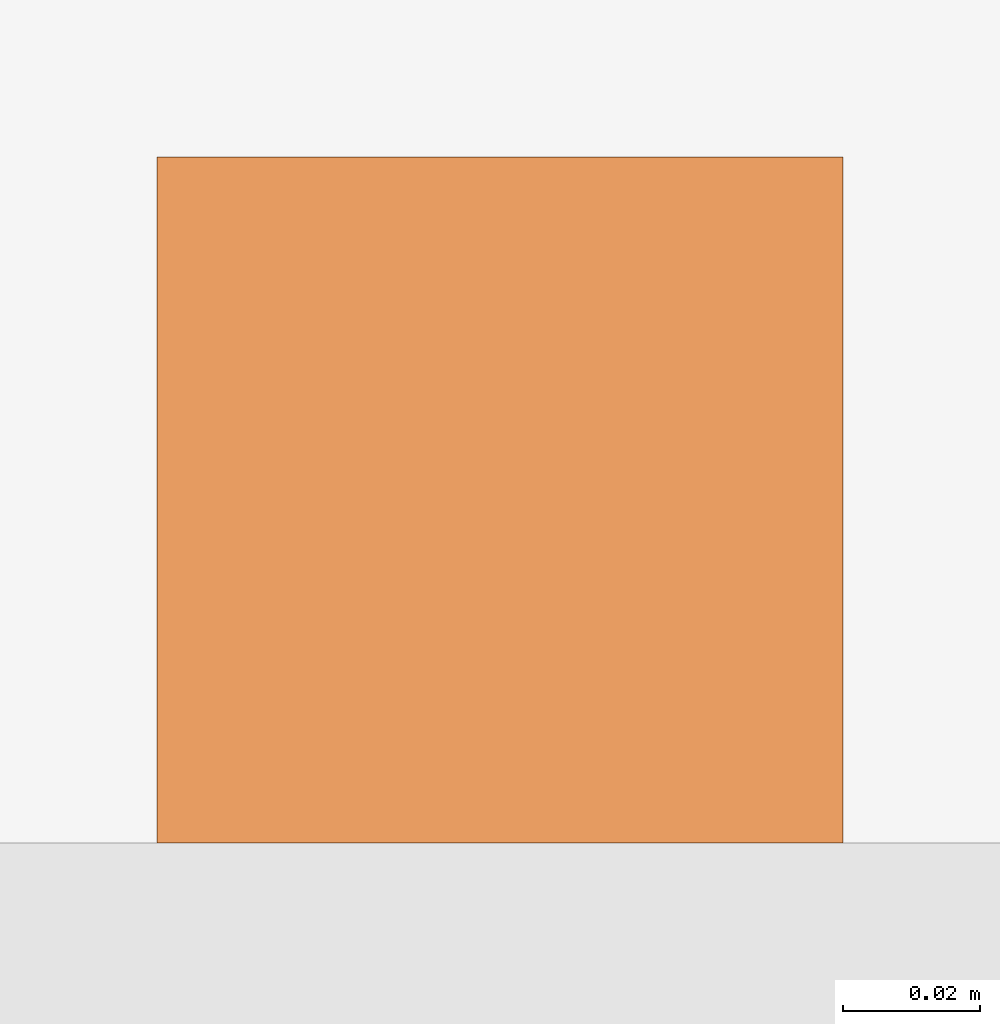
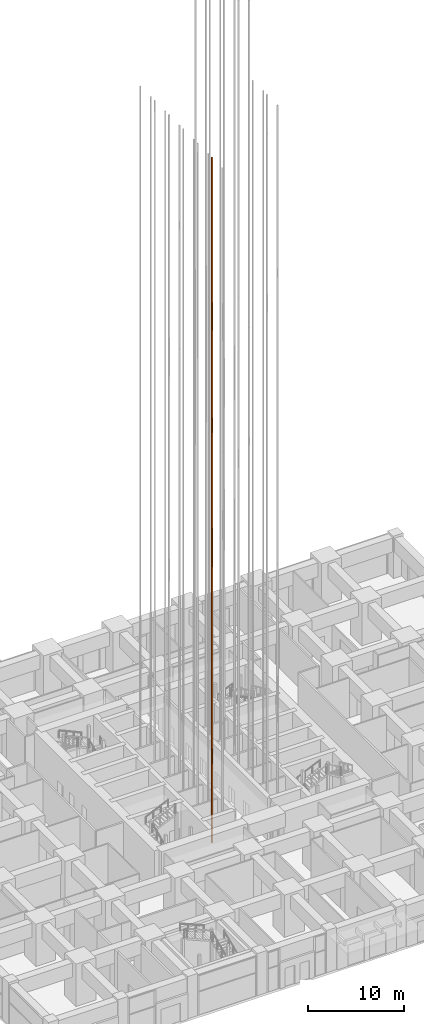
# One storey, part 59 of 81: 1 proxy.
"""IFC4 building model written with IfcOpenShell, lengths in metres."""

from ifc_helpers import new_model, si_unit, direction, frame, origin, origin_2d, place, context, subcontext, project, spatial, rectangle, extrude, material, type_object, element, save


model = new_model("IFC4")

# Units and contexts
model_context = context("Model", 3, precision=1e-05, world=origin(), true_north=direction((0.0, 1.0)))
body_context = subcontext(model_context, "Body", "Model", "MODEL_VIEW")
ifc_project = project(units=[si_unit("LENGTHUNIT", "METRE"), si_unit("AREAUNIT", "SQUARE_METRE"), si_unit("VOLUMEUNIT", "CUBIC_METRE"), si_unit("PLANEANGLEUNIT", "RADIAN"), si_unit("MASSUNIT", "GRAM", prefix="KILO")], contexts=[model_context])

# Site, building, storey
site_placement = place(None, origin())
site = spatial("IfcSite", under=ifc_project, at=site_placement, CompositionType="ELEMENT")
building_placement = place(site_placement, origin())
building = spatial("IfcBuilding", under=site, at=building_placement, Name="Rekha Terrace Tower", CompositionType="ELEMENT")
storey_placement = place(building_placement, origin())
storey = spatial("IfcBuildingStorey", under=building, at=storey_placement, Name="L00", CompositionType="ELEMENT", Elevation=0.0)

# Proxy
ifc_material = material(Name="Steel guide rail", Category="steel")
building_element_proxy_type = type_object("IfcBuildingElementProxyType", Name="LR1 100 lift guide rail", PredefinedType="ELEMENT", material=ifc_material)
proxy_placement = place(storey_placement, frame((34.5, 26.0, 0.0), z_axis=(0.0, 0.0, 1.0), x_axis=(1.0, 0.0, 0.0)))
element("IfcBuildingElementProxy", 1, at=proxy_placement, inside=storey, type_object=building_element_proxy_type, Name="Lift A1 guide rail 2", PredefinedType="ELEMENT", context=body_context, shape_type="SweptSolid", body=[
    extrude(rectangle(XDim=0.10009765625, YDim=0.10009765625, at=origin_2d()), origin(), (0.0, 0.0, 1.0), 87.5),
])

save(model, "model.ifc")
